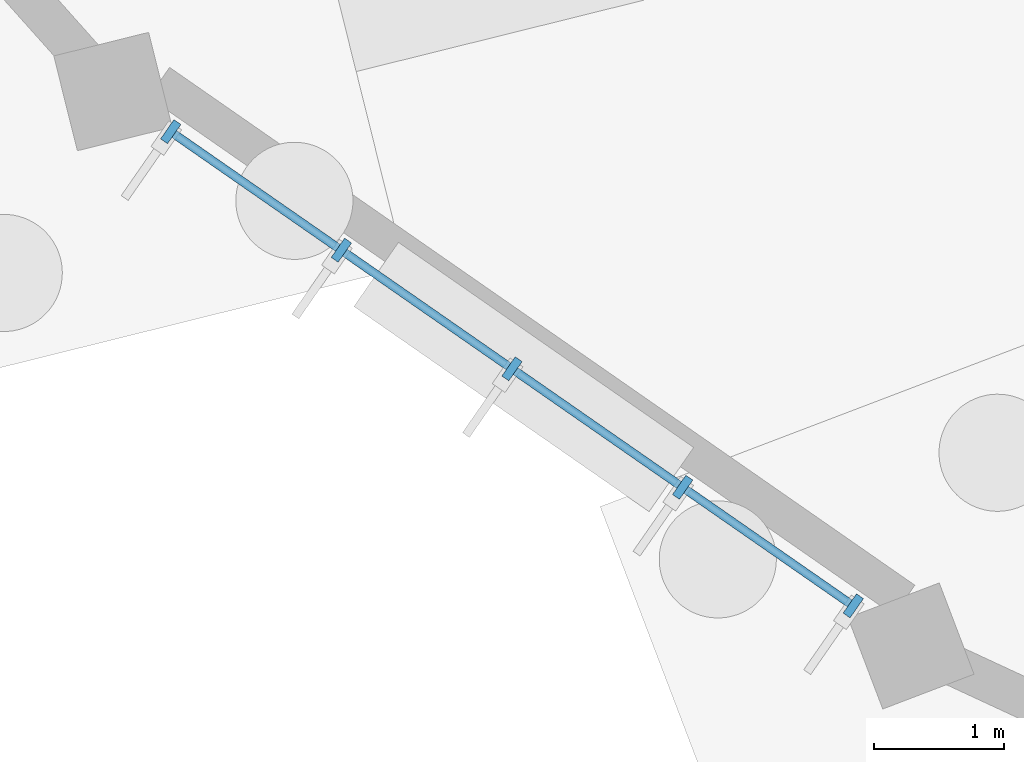
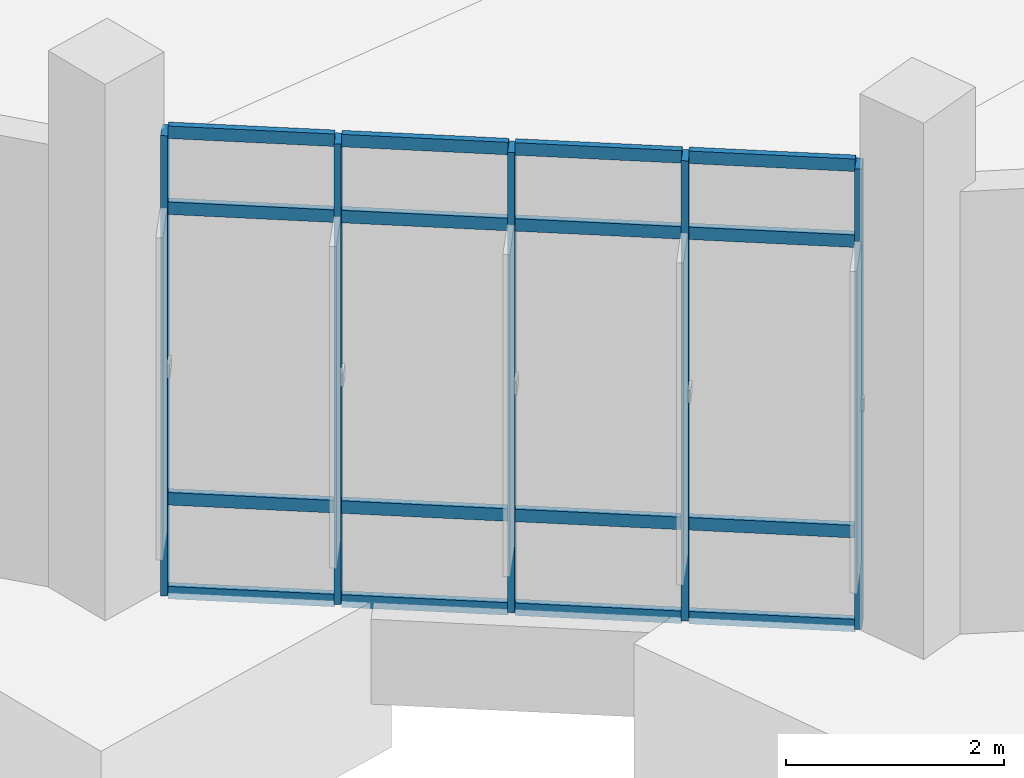
# One storey, part 39 of 140: 21 members, 1 element without a shape of its own.
"""IFC4 building model written with IfcOpenShell, lengths in metres."""

from ifc_helpers import new_model, si_unit, direction, frame, origin, origin_2d, place, context, subcontext, project, spatial, rectangle, extrude, material, layer, layer_set, material_profile, profile_set, type_object, element, aggregate, save


model = new_model("IFC4")

# Units and contexts
model_context = context("Model", 3, precision=1e-05, world=origin(), true_north=direction((0.0, 1.0)))
body_context = subcontext(model_context, "Body", "Model", "MODEL_VIEW")
ifc_project = project(units=[si_unit("LENGTHUNIT", "METRE"), si_unit("AREAUNIT", "SQUARE_METRE"), si_unit("VOLUMEUNIT", "CUBIC_METRE"), si_unit("PLANEANGLEUNIT", "RADIAN"), si_unit("MASSUNIT", "GRAM", prefix="KILO")], contexts=[model_context])

# Site, building, storey
site_placement = place(None, origin())
site = spatial("IfcSite", under=ifc_project, at=site_placement, CompositionType="ELEMENT")
building_placement = place(site_placement, origin())
building = spatial("IfcBuilding", under=site, at=building_placement, Name="Corvandel Quay Wholesale Market", CompositionType="ELEMENT")
storey_placement = place(building_placement, origin())
storey = spatial("IfcBuildingStorey", under=building, at=storey_placement, Name="L00", CompositionType="ELEMENT", Elevation=0.0)

# Curtain wall, members
ifc_material_1 = material(Name="Bronze anodised aluminium and low-E insulated glazing", Category="aluminium")
ifc_layer = layer(ifc_material_1, 0.162109375)
ifc_layer_set = layer_set([ifc_layer], Name="Bronze anodised aluminium and low-E insulated glazing")
curtain_wall_type = type_object("IfcCurtainWallType", Name="Stick Curtain Wall System CW21 H4890", PredefinedType="NOTDEFINED", material=ifc_layer_set)
curtain_wall_placement = place(storey_placement, origin())
curtain_wall = element("IfcCurtainWall", 1, at=curtain_wall_placement, inside=storey, type_object=curtain_wall_type, Name="Curtain Wall CW-0106", PredefinedType="NOTDEFINED")
ifc_material_2 = material(Name="Anodised aluminium 6063-T6", Category="aluminium")
ifc_material_profile_1 = material_profile(ifc_material_2, rectangle(XDim=0.06494140625, YDim=0.179931640625, at=origin_2d()), Name="ALU-MUL-65x180")
ifc_profile_set_1 = profile_set([ifc_material_profile_1], Name="Anodised aluminium 6063-T6")
member_type_1 = type_object("IfcMemberType", Name="Curtain Wall Mullion ML01 65x180", PredefinedType="MULLION", material=ifc_profile_set_1)
member_1_placement = place(storey_placement, frame((64.81640625, 103.3759765625, 0.0), z_axis=(0.0, 0.0, 1.0), x_axis=(-0.821248804935, 0.570570241419, 0.0)))
member_1 = element("IfcMember", 2, at=member_1_placement, type_object=member_type_1, Name="Mullion CW-0106-M00", PredefinedType="MULLION", context=body_context, shape_type="SweptSolid", body=[
    extrude(rectangle(XDim=0.06494140625, YDim=0.179931640625, at=origin_2d()), origin(), (0.0, 0.0, 1.0), 5.14990234375),
])
member_2_placement = place(storey_placement, frame((66.126953125, 102.465576171875, 0.0), z_axis=(0.0, 0.0, 1.0), x_axis=(-0.821248804935, 0.570570241419, 0.0)))
member_2 = element("IfcMember", 3, at=member_2_placement, type_object=member_type_1, Name="Mullion CW-0106-M01", PredefinedType="MULLION", context=body_context, shape_type="SweptSolid", body=[
    extrude(rectangle(XDim=0.06494140625, YDim=0.179931640625, at=origin_2d()), origin(), (0.0, 0.0, 1.0), 5.14990234375),
])
member_3_placement = place(storey_placement, frame((67.4375, 101.554931640625, 0.0), z_axis=(0.0, 0.0, 1.0), x_axis=(-0.821248804935, 0.570570241419, 0.0)))
member_3 = element("IfcMember", 4, at=member_3_placement, type_object=member_type_1, Name="Mullion CW-0106-M02", PredefinedType="MULLION", context=body_context, shape_type="SweptSolid", body=[
    extrude(rectangle(XDim=0.06494140625, YDim=0.179931640625, at=origin_2d()), origin(), (0.0, 0.0, 1.0), 5.14990234375),
])
member_4_placement = place(storey_placement, frame((68.748046875, 100.64453125, 0.0), z_axis=(0.0, 0.0, 1.0), x_axis=(-0.821248804935, 0.570570241419, 0.0)))
member_4 = element("IfcMember", 5, at=member_4_placement, type_object=member_type_1, Name="Mullion CW-0106-M03", PredefinedType="MULLION", context=body_context, shape_type="SweptSolid", body=[
    extrude(rectangle(XDim=0.06494140625, YDim=0.179931640625, at=origin_2d()), origin(), (0.0, 0.0, 1.0), 5.14990234375),
])
member_5_placement = place(storey_placement, frame((70.05859375, 99.734130859375, 0.0), z_axis=(0.0, 0.0, 1.0), x_axis=(-0.821248804935, 0.570570241419, 0.0)))
member_5 = element("IfcMember", 6, at=member_5_placement, type_object=member_type_1, Name="Mullion CW-0106-M04", PredefinedType="MULLION", context=body_context, shape_type="SweptSolid", body=[
    extrude(rectangle(XDim=0.06494140625, YDim=0.179931640625, at=origin_2d()), origin(), (0.0, 0.0, 1.0), 5.14990234375),
])
ifc_material_profile_2 = material_profile(ifc_material_2, rectangle(XDim=0.06494140625, YDim=0.139892578125, at=origin_2d()), Name="ALU-TRN-65x140")
ifc_profile_set_2 = profile_set([ifc_material_profile_2], Name="Anodised aluminium 6063-T6")
member_type_2 = type_object("IfcMemberType", Name="Curtain Wall Transom TR01 65x140", PredefinedType="USERDEFINED", material=ifc_profile_set_2)
member_6_placement = place(storey_placement, frame((64.84326171875, 103.357421875, 0.0), z_axis=(0.821197655875, -0.570643855646, 0.0), x_axis=(0.570643855646, 0.821197655875, 0.0)))
member_6 = element("IfcMember", 7, at=member_6_placement, type_object=member_type_2, Name="Transom CW-0106-T00-0", ObjectType="TRANSOM", PredefinedType="USERDEFINED", context=body_context, shape_type="SweptSolid", body=[
    extrude(rectangle(XDim=0.06494140625, YDim=0.139892578125, at=origin_2d()), origin(), (0.0, 0.0, 1.0), 1.53076171875),
])
member_7_placement = place(storey_placement, frame((64.84326171875, 103.357421875, 1.050048828125), z_axis=(0.821197655875, -0.570643855646, 0.0), x_axis=(0.570643855646, 0.821197655875, 0.0)))
member_7 = element("IfcMember", 8, at=member_7_placement, type_object=member_type_2, Name="Transom CW-0106-T00-1", ObjectType="TRANSOM", PredefinedType="USERDEFINED", context=body_context, shape_type="SweptSolid", body=[
    extrude(rectangle(XDim=0.06494140625, YDim=0.139892578125, at=origin_2d()), origin(), (0.0, 0.0, 1.0), 1.53076171875),
])
member_8_placement = place(storey_placement, frame((64.84326171875, 103.357421875, 4.300048828125), z_axis=(0.821197655875, -0.570643855646, 0.0), x_axis=(0.570643855646, 0.821197655875, 0.0)))
member_8 = element("IfcMember", 9, at=member_8_placement, type_object=member_type_2, Name="Transom CW-0106-T00-2", ObjectType="TRANSOM", PredefinedType="USERDEFINED", context=body_context, shape_type="SweptSolid", body=[
    extrude(rectangle(XDim=0.06494140625, YDim=0.139892578125, at=origin_2d()), origin(), (0.0, 0.0, 1.0), 1.53076171875),
])
member_9_placement = place(storey_placement, frame((64.84326171875, 103.357421875, 5.14990234375), z_axis=(0.821197655875, -0.570643855646, 0.0), x_axis=(0.570643855646, 0.821197655875, 0.0)))
member_9 = element("IfcMember", 10, at=member_9_placement, type_object=member_type_2, Name="Transom CW-0106-T00-3", ObjectType="TRANSOM", PredefinedType="USERDEFINED", context=body_context, shape_type="SweptSolid", body=[
    extrude(rectangle(XDim=0.06494140625, YDim=0.139892578125, at=origin_2d()), origin(), (0.0, 0.0, 1.0), 1.53076171875),
])
member_10_placement = place(storey_placement, frame((66.15380859375, 102.447021484375, 0.0), z_axis=(0.821197655875, -0.570643855646, 0.0), x_axis=(0.570643855646, 0.821197655875, 0.0)))
member_10 = element("IfcMember", 11, at=member_10_placement, type_object=member_type_2, Name="Transom CW-0106-T01-0", ObjectType="TRANSOM", PredefinedType="USERDEFINED", context=body_context, shape_type="SweptSolid", body=[
    extrude(rectangle(XDim=0.06494140625, YDim=0.139892578125, at=origin_2d()), origin(), (0.0, 0.0, 1.0), 1.53076171875),
])
member_11_placement = place(storey_placement, frame((66.15380859375, 102.447021484375, 1.050048828125), z_axis=(0.821197655875, -0.570643855646, 0.0), x_axis=(0.570643855646, 0.821197655875, 0.0)))
member_11 = element("IfcMember", 12, at=member_11_placement, type_object=member_type_2, Name="Transom CW-0106-T01-1", ObjectType="TRANSOM", PredefinedType="USERDEFINED", context=body_context, shape_type="SweptSolid", body=[
    extrude(rectangle(XDim=0.06494140625, YDim=0.139892578125, at=origin_2d()), origin(), (0.0, 0.0, 1.0), 1.53076171875),
])
member_12_placement = place(storey_placement, frame((66.15380859375, 102.447021484375, 4.300048828125), z_axis=(0.821197655875, -0.570643855646, 0.0), x_axis=(0.570643855646, 0.821197655875, 0.0)))
member_12 = element("IfcMember", 13, at=member_12_placement, type_object=member_type_2, Name="Transom CW-0106-T01-2", ObjectType="TRANSOM", PredefinedType="USERDEFINED", context=body_context, shape_type="SweptSolid", body=[
    extrude(rectangle(XDim=0.06494140625, YDim=0.139892578125, at=origin_2d()), origin(), (0.0, 0.0, 1.0), 1.53076171875),
])
member_13_placement = place(storey_placement, frame((66.15380859375, 102.447021484375, 5.14990234375), z_axis=(0.821197655875, -0.570643855646, 0.0), x_axis=(0.570643855646, 0.821197655875, 0.0)))
member_13 = element("IfcMember", 14, at=member_13_placement, type_object=member_type_2, Name="Transom CW-0106-T01-3", ObjectType="TRANSOM", PredefinedType="USERDEFINED", context=body_context, shape_type="SweptSolid", body=[
    extrude(rectangle(XDim=0.06494140625, YDim=0.139892578125, at=origin_2d()), origin(), (0.0, 0.0, 1.0), 1.53076171875),
])
member_14_placement = place(storey_placement, frame((67.464111328125, 101.53662109375, 0.0), z_axis=(0.821197655875, -0.570643855646, 0.0), x_axis=(0.570643855646, 0.821197655875, 0.0)))
member_14 = element("IfcMember", 15, at=member_14_placement, type_object=member_type_2, Name="Transom CW-0106-T02-0", ObjectType="TRANSOM", PredefinedType="USERDEFINED", context=body_context, shape_type="SweptSolid", body=[
    extrude(rectangle(XDim=0.06494140625, YDim=0.139892578125, at=origin_2d()), origin(), (0.0, 0.0, 1.0), 1.53076171875),
])
member_15_placement = place(storey_placement, frame((67.464111328125, 101.53662109375, 1.050048828125), z_axis=(0.821197655875, -0.570643855646, 0.0), x_axis=(0.570643855646, 0.821197655875, 0.0)))
member_15 = element("IfcMember", 16, at=member_15_placement, type_object=member_type_2, Name="Transom CW-0106-T02-1", ObjectType="TRANSOM", PredefinedType="USERDEFINED", context=body_context, shape_type="SweptSolid", body=[
    extrude(rectangle(XDim=0.06494140625, YDim=0.139892578125, at=origin_2d()), origin(), (0.0, 0.0, 1.0), 1.53076171875),
])
member_16_placement = place(storey_placement, frame((67.464111328125, 101.53662109375, 4.300048828125), z_axis=(0.821197655875, -0.570643855646, 0.0), x_axis=(0.570643855646, 0.821197655875, 0.0)))
member_16 = element("IfcMember", 17, at=member_16_placement, type_object=member_type_2, Name="Transom CW-0106-T02-2", ObjectType="TRANSOM", PredefinedType="USERDEFINED", context=body_context, shape_type="SweptSolid", body=[
    extrude(rectangle(XDim=0.06494140625, YDim=0.139892578125, at=origin_2d()), origin(), (0.0, 0.0, 1.0), 1.53076171875),
])
member_17_placement = place(storey_placement, frame((67.464111328125, 101.53662109375, 5.14990234375), z_axis=(0.821197655875, -0.570643855646, 0.0), x_axis=(0.570643855646, 0.821197655875, 0.0)))
member_17 = element("IfcMember", 18, at=member_17_placement, type_object=member_type_2, Name="Transom CW-0106-T02-3", ObjectType="TRANSOM", PredefinedType="USERDEFINED", context=body_context, shape_type="SweptSolid", body=[
    extrude(rectangle(XDim=0.06494140625, YDim=0.139892578125, at=origin_2d()), origin(), (0.0, 0.0, 1.0), 1.53076171875),
])
member_18_placement = place(storey_placement, frame((68.774658203125, 100.6259765625, 0.0), z_axis=(0.821272392975, -0.570536288536, 0.0), x_axis=(0.570536288536, 0.821272392975, 0.0)))
member_18 = element("IfcMember", 19, at=member_18_placement, type_object=member_type_2, Name="Transom CW-0106-T03-0", ObjectType="TRANSOM", PredefinedType="USERDEFINED", context=body_context, shape_type="SweptSolid", body=[
    extrude(rectangle(XDim=0.06494140625, YDim=0.139892578125, at=origin_2d()), origin(), (0.0, 0.0, 1.0), 1.53076171875),
])
member_19_placement = place(storey_placement, frame((68.774658203125, 100.6259765625, 1.050048828125), z_axis=(0.821272392975, -0.570536288536, 0.0), x_axis=(0.570536288536, 0.821272392975, 0.0)))
member_19 = element("IfcMember", 20, at=member_19_placement, type_object=member_type_2, Name="Transom CW-0106-T03-1", ObjectType="TRANSOM", PredefinedType="USERDEFINED", context=body_context, shape_type="SweptSolid", body=[
    extrude(rectangle(XDim=0.06494140625, YDim=0.139892578125, at=origin_2d()), origin(), (0.0, 0.0, 1.0), 1.53076171875),
])
member_20_placement = place(storey_placement, frame((68.774658203125, 100.6259765625, 4.300048828125), z_axis=(0.821272392975, -0.570536288536, 0.0), x_axis=(0.570536288536, 0.821272392975, 0.0)))
member_20 = element("IfcMember", 21, at=member_20_placement, type_object=member_type_2, Name="Transom CW-0106-T03-2", ObjectType="TRANSOM", PredefinedType="USERDEFINED", context=body_context, shape_type="SweptSolid", body=[
    extrude(rectangle(XDim=0.06494140625, YDim=0.139892578125, at=origin_2d()), origin(), (0.0, 0.0, 1.0), 1.53076171875),
])
member_21_placement = place(storey_placement, frame((68.774658203125, 100.6259765625, 5.14990234375), z_axis=(0.821272392975, -0.570536288536, 0.0), x_axis=(0.570536288536, 0.821272392975, 0.0)))
member_21 = element("IfcMember", 22, at=member_21_placement, type_object=member_type_2, Name="Transom CW-0106-T03-3", ObjectType="TRANSOM", PredefinedType="USERDEFINED", context=body_context, shape_type="SweptSolid", body=[
    extrude(rectangle(XDim=0.06494140625, YDim=0.139892578125, at=origin_2d()), origin(), (0.0, 0.0, 1.0), 1.53076171875),
])
aggregate(curtain_wall, [member_1, member_2, member_3, member_4, member_5, member_6, member_7, member_8, member_9, member_10, member_11, member_12, member_13, member_14, member_15, member_16, member_17, member_18, member_19, member_20, member_21])

save(model, "model.ifc")
